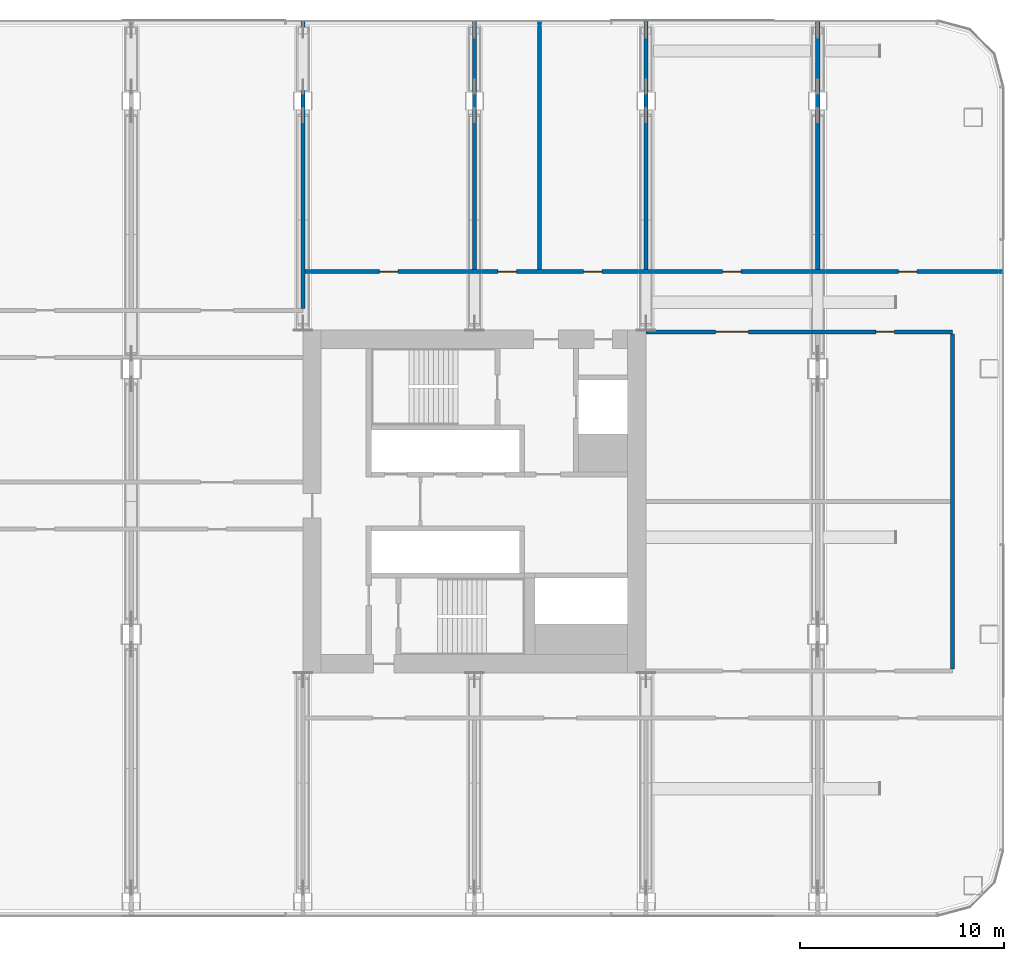
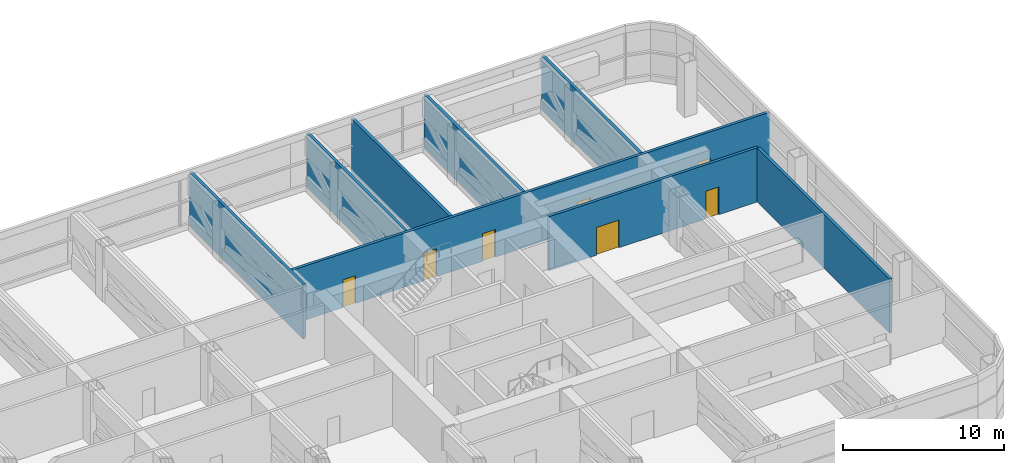
# One storey, part 20 of 30: 8 walls, 7 doors, 7 openings.
"""IFC4 building model written with IfcOpenShell, lengths in metres."""

from ifc_helpers import new_model, si_unit, direction, frame, frame_2d, origin, place, context, subcontext, project, spatial, rectangle, extrude, material, layer, layer_set, type_object, element, fill, save


model = new_model("IFC4")

# Units and contexts
model_context = context("Model", 3, precision=1e-05, world=origin(), true_north=direction((0.0, 1.0)))
body_context = subcontext(model_context, "Body", "Model", "MODEL_VIEW")
ifc_project = project(units=[si_unit("LENGTHUNIT", "METRE"), si_unit("AREAUNIT", "SQUARE_METRE"), si_unit("VOLUMEUNIT", "CUBIC_METRE"), si_unit("PLANEANGLEUNIT", "RADIAN"), si_unit("MASSUNIT", "GRAM", prefix="KILO")], contexts=[model_context])

# Site, building, storey
site_placement = place(None, origin())
site = spatial("IfcSite", under=ifc_project, at=site_placement, CompositionType="ELEMENT")
building_placement = place(site_placement, origin())
building = spatial("IfcBuilding", under=site, at=building_placement, Name="Hakoniwa Tower and Hamabe Station Hall", CompositionType="ELEMENT")
storey_placement = place(building_placement, frame((0.0, 0.0, 64.60009765625)))
storey = spatial("IfcBuildingStorey", under=building, at=storey_placement, Name="L18", CompositionType="ELEMENT", Elevation=64.60009765625)

# Wall, openings, doors
ifc_material_1 = material(Name="Fire-rated gypsum board partition", Category="gypsum")
ifc_layer_1 = layer(ifc_material_1, 0.199951171875)
ifc_layer_set_1 = layer_set([ifc_layer_1], Name="Corridor Wall 200")
wall_type_1 = type_object("IfcWallType", Name="Corridor Wall 200", PredefinedType="PARTITIONING", material=ifc_layer_set_1)
wall_1_placement = place(storey_placement, frame((33.60009765625, 8.300048828125, 0.0), z_axis=(0.0, 0.0, 1.0), x_axis=(1.0, 0.0, 0.0)))
wall_1 = element("IfcWall", 1, at=wall_1_placement, inside=storey, type_object=wall_type_1, Name="GW-L18-011", PredefinedType="PARTITIONING", context=body_context, shape_type="SweptSolid", body=[
    extrude(rectangle(XDim=15.0, YDim=0.199951171875, at=frame_2d((7.5, 0.0))), origin(), (0.0, 0.0, 1.0), 4.099853515625),
])
opening_1_placement = place(wall_1_placement, frame((3.39990234375, 0.0, 0.0)))
opening_1 = element("IfcOpeningElement", 2, at=opening_1_placement, cuts=wall_1, Name="Opening GD-SL18-23", PredefinedType="OPENING", context=body_context, shape_type="SweptSolid", body=[
    extrude(rectangle(XDim=1.60009765625, YDim=2.10009765625, at=frame_2d((0.800048828125, 1.050048828125))), frame((0.0, 0.10986328125, 0.0), z_axis=(0.0, -1.0, 0.0), x_axis=(1.0, 0.0, 0.0)), (0.0, 0.0, 1.0), 0.219970703125),
])
opening_2_placement = place(wall_1_placement, frame((11.25, 0.0, 0.0)))
opening_2 = element("IfcOpeningElement", 3, at=opening_2_placement, cuts=wall_1, Name="Opening GD-SL18-24", PredefinedType="OPENING", context=body_context, shape_type="SweptSolid", body=[
    extrude(rectangle(XDim=0.89990234375, YDim=2.10009765625, at=frame_2d((0.449951171875, 1.050048828125))), frame((0.0, 0.10986328125, 0.0), z_axis=(0.0, -1.0, 0.0), x_axis=(1.0, 0.0, 0.0)), (0.0, 0.0, 1.0), 0.219970703125),
])
ifc_material_2 = material(Name="Timber door leaf", Category="wood")
door_type_1 = type_object("IfcDoorType", Name="Double Door 1600", OperationType="DOUBLE_DOOR_SINGLE_SWING", PredefinedType="DOOR", material=ifc_material_2)
door_1_placement = place(opening_1_placement, origin())
door_1 = element("IfcDoor", 4, at=door_1_placement, inside=storey, type_object=door_type_1, Name="Door GD-SL18-23", OperationType="DOUBLE_DOOR_SINGLE_SWING", OverallHeight=2.10009765625, OverallWidth=1.60009765625, PredefinedType="DOOR", context=body_context, shape_type="SweptSolid", body=[
    extrude(rectangle(XDim=1.60009765625, YDim=2.10009765625, at=frame_2d((0.800048828125, 1.050048828125))), frame((0.0, 0.02490234375, 0.0), z_axis=(0.0, -1.0, 0.0), x_axis=(1.0, 0.0, 0.0)), (0.0, 0.0, 1.0), 0.050048828125),
])
fill(opening_1, door_1)
ifc_material_3 = material(Name="Timber door leaf", Category="wood")
door_type_2 = type_object("IfcDoorType", Name="Service Door 900", OperationType="SINGLE_SWING_LEFT", PredefinedType="DOOR", material=ifc_material_3)
door_2_placement = place(opening_2_placement, origin())
door_2 = element("IfcDoor", 5, at=door_2_placement, inside=storey, type_object=door_type_2, Name="Door GD-SL18-24", OperationType="SINGLE_SWING_RIGHT", OverallHeight=2.10009765625, OverallWidth=0.89990234375, PredefinedType="DOOR", context=body_context, shape_type="SweptSolid", body=[
    extrude(rectangle(XDim=0.89990234375, YDim=2.10009765625, at=frame_2d((0.449951171875, 1.050048828125))), frame((0.0, 0.02490234375, 0.0), z_axis=(0.0, -1.0, 0.0), x_axis=(1.0, 0.0, 0.0)), (0.0, 0.0, 1.0), 0.050048828125),
])
fill(opening_2, door_2)

wall_2_placement = place(storey_placement, frame((16.800048828125, 11.25, 0.0), z_axis=(0.0, 0.0, 1.0), x_axis=(1.0, 0.0, 0.0)))
wall_2 = element("IfcWall", 6, at=wall_2_placement, inside=storey, type_object=wall_type_1, Name="GW-L18-014", PredefinedType="PARTITIONING", context=body_context, shape_type="SweptSolid", body=[
    extrude(rectangle(XDim=34.300048828125, YDim=0.199951171875, at=frame_2d((17.14990234375, 0.0))), origin(), (0.0, 0.0, 1.0), 4.099853515625),
])
opening_3_placement = place(wall_2_placement, frame((3.75, 0.0, 0.0)))
opening_3 = element("IfcOpeningElement", 7, at=opening_3_placement, cuts=wall_2, Name="Opening GD-SL18-33", PredefinedType="OPENING", context=body_context, shape_type="SweptSolid", body=[
    extrude(rectangle(XDim=0.89990234375, YDim=2.10009765625, at=frame_2d((0.449951171875, 1.050048828125))), frame((0.0, 0.10986328125, 0.0), z_axis=(0.0, -1.0, 0.0), x_axis=(1.0, 0.0, 0.0)), (0.0, 0.0, 1.0), 0.219970703125),
])
opening_4_placement = place(wall_2_placement, frame((9.544921875, 0.0, 0.0)))
opening_4 = element("IfcOpeningElement", 8, at=opening_4_placement, cuts=wall_2, Name="Opening GD-SL18-34", PredefinedType="OPENING", context=body_context, shape_type="SweptSolid", body=[
    extrude(rectangle(XDim=0.89990234375, YDim=2.10009765625, at=frame_2d((0.449951171875, 1.050048828125))), frame((0.0, 0.10986328125, 0.0), z_axis=(0.0, -1.0, 0.0), x_axis=(1.0, 0.0, 0.0)), (0.0, 0.0, 1.0), 0.219970703125),
])
opening_5_placement = place(wall_2_placement, frame((13.7451171875, 0.0, 0.0)))
opening_5 = element("IfcOpeningElement", 9, at=opening_5_placement, cuts=wall_2, Name="Opening GD-SL18-35", PredefinedType="OPENING", context=body_context, shape_type="SweptSolid", body=[
    extrude(rectangle(XDim=0.89990234375, YDim=2.10009765625, at=frame_2d((0.449951171875, 1.050048828125))), frame((0.0, 0.10986328125, 0.0), z_axis=(0.0, -1.0, 0.0), x_axis=(1.0, 0.0, 0.0)), (0.0, 0.0, 1.0), 0.219970703125),
])
opening_6_placement = place(wall_2_placement, frame((20.550048828125, 0.0, 0.0)))
opening_6 = element("IfcOpeningElement", 10, at=opening_6_placement, cuts=wall_2, Name="Opening GD-SL18-36", PredefinedType="OPENING", context=body_context, shape_type="SweptSolid", body=[
    extrude(rectangle(XDim=0.89990234375, YDim=2.10009765625, at=frame_2d((0.449951171875, 1.050048828125))), frame((0.0, 0.10986328125, 0.0), z_axis=(0.0, -1.0, 0.0), x_axis=(1.0, 0.0, 0.0)), (0.0, 0.0, 1.0), 0.219970703125),
])
opening_7_placement = place(wall_2_placement, frame((29.14990234375, 0.0, 0.0)))
opening_7 = element("IfcOpeningElement", 11, at=opening_7_placement, cuts=wall_2, Name="Opening GD-SL18-37", PredefinedType="OPENING", context=body_context, shape_type="SweptSolid", body=[
    extrude(rectangle(XDim=0.89990234375, YDim=2.10009765625, at=frame_2d((0.449951171875, 1.050048828125))), frame((0.0, 0.10986328125, 0.0), z_axis=(0.0, -1.0, 0.0), x_axis=(1.0, 0.0, 0.0)), (0.0, 0.0, 1.0), 0.219970703125),
])
door_3_placement = place(opening_3_placement, origin())
door_3 = element("IfcDoor", 12, at=door_3_placement, inside=storey, type_object=door_type_2, Name="Door GD-SL18-33", OperationType="SINGLE_SWING_LEFT", OverallHeight=2.10009765625, OverallWidth=0.89990234375, PredefinedType="DOOR", context=body_context, shape_type="SweptSolid", body=[
    extrude(rectangle(XDim=0.89990234375, YDim=2.10009765625, at=frame_2d((0.449951171875, 1.050048828125))), frame((0.0, 0.02490234375, 0.0), z_axis=(0.0, -1.0, 0.0), x_axis=(1.0, 0.0, 0.0)), (0.0, 0.0, 1.0), 0.050048828125),
])
fill(opening_3, door_3)
door_4_placement = place(opening_4_placement, origin())
door_4 = element("IfcDoor", 13, at=door_4_placement, inside=storey, type_object=door_type_2, Name="Door GD-SL18-34", OperationType="SINGLE_SWING_RIGHT", OverallHeight=2.10009765625, OverallWidth=0.89990234375, PredefinedType="DOOR", context=body_context, shape_type="SweptSolid", body=[
    extrude(rectangle(XDim=0.89990234375, YDim=2.10009765625, at=frame_2d((0.449951171875, 1.050048828125))), frame((0.0, 0.02490234375, 0.0), z_axis=(0.0, -1.0, 0.0), x_axis=(1.0, 0.0, 0.0)), (0.0, 0.0, 1.0), 0.050048828125),
])
fill(opening_4, door_4)
door_5_placement = place(opening_5_placement, origin())
door_5 = element("IfcDoor", 14, at=door_5_placement, inside=storey, type_object=door_type_2, Name="Door GD-SL18-35", OperationType="SINGLE_SWING_LEFT", OverallHeight=2.10009765625, OverallWidth=0.89990234375, PredefinedType="DOOR", context=body_context, shape_type="SweptSolid", body=[
    extrude(rectangle(XDim=0.89990234375, YDim=2.10009765625, at=frame_2d((0.449951171875, 1.050048828125))), frame((0.0, 0.02490234375, 0.0), z_axis=(0.0, -1.0, 0.0), x_axis=(1.0, 0.0, 0.0)), (0.0, 0.0, 1.0), 0.050048828125),
])
fill(opening_5, door_5)
door_6_placement = place(opening_6_placement, origin())
door_6 = element("IfcDoor", 15, at=door_6_placement, inside=storey, type_object=door_type_2, Name="Door GD-SL18-36", OperationType="SINGLE_SWING_RIGHT", OverallHeight=2.10009765625, OverallWidth=0.89990234375, PredefinedType="DOOR", context=body_context, shape_type="SweptSolid", body=[
    extrude(rectangle(XDim=0.89990234375, YDim=2.10009765625, at=frame_2d((0.449951171875, 1.050048828125))), frame((0.0, 0.02490234375, 0.0), z_axis=(0.0, -1.0, 0.0), x_axis=(1.0, 0.0, 0.0)), (0.0, 0.0, 1.0), 0.050048828125),
])
fill(opening_6, door_6)
door_7_placement = place(opening_7_placement, origin())
door_7 = element("IfcDoor", 16, at=door_7_placement, inside=storey, type_object=door_type_2, Name="Door GD-SL18-37", OperationType="SINGLE_SWING_LEFT", OverallHeight=2.10009765625, OverallWidth=0.89990234375, PredefinedType="DOOR", context=body_context, shape_type="SweptSolid", body=[
    extrude(rectangle(XDim=0.89990234375, YDim=2.10009765625, at=frame_2d((0.449951171875, 1.050048828125))), frame((0.0, 0.02490234375, 0.0), z_axis=(0.0, -1.0, 0.0), x_axis=(1.0, 0.0, 0.0)), (0.0, 0.0, 1.0), 0.050048828125),
])
fill(opening_7, door_7)

# Walls
ifc_material_4 = material(Name="Fire-rated gypsum board partition", Category="gypsum")
ifc_layer_2 = layer(ifc_material_4, 0.199951171875)
ifc_layer_set_2 = layer_set([ifc_layer_2], Name="Party Wall 200")
wall_type_2 = type_object("IfcWallType", Name="Party Wall 200", PredefinedType="PARTITIONING", material=ifc_layer_set_2)
wall_3_placement = place(storey_placement, frame((16.800048828125, 9.449951171875, 0.0), z_axis=(0.0, 0.0, 1.0), x_axis=(0.0, 1.0, 0.0)))
element("IfcWall", 17, at=wall_3_placement, inside=storey, type_object=wall_type_2, Name="GW-L18-035", PredefinedType="PARTITIONING", context=body_context, shape_type="SweptSolid", body=[
    extrude(rectangle(XDim=14.10009765625, YDim=0.199951171875, at=frame_2d((7.050048828125, 0.0))), origin(), (0.0, 0.0, 1.0), 4.099853515625),
])
for number, where, z_axis, x_axis, name in (
    (18, (25.199951171875, 11.35009765625, 0.0), (0.0, 0.0, 1.0), (0.0, 1.0, 0.0), "GW-L18-037"),
    (19, (28.389892578125, 11.35009765625, 0.0), (0.0, 0.0, 1.0), (0.0, 1.0, 0.0), "GW-L18-038"),
    (20, (33.60009765625, 11.35009765625, 0.0), (0.0, 0.0, 1.0), (0.0, 1.0, 0.0), "GW-L18-040"),
    (21, (42.0, 11.35009765625, 0.0), (0.0, 0.0, 1.0), (0.0, 1.0, 0.0), "GW-L18-043"),
):
    element("IfcWall", number, at=place(storey_placement, frame(where, z_axis=z_axis, x_axis=x_axis)), inside=storey, type_object=wall_type_2, Name=name, PredefinedType="PARTITIONING", context=body_context, shape_type="SweptSolid", body=[
        extrude(rectangle(XDim=12.199951171875, YDim=0.199951171875, at=frame_2d((6.10009765625, 0.0))), origin(), (0.0, 0.0, 1.0), 4.099853515625),
    ])
wall_4_placement = place(storey_placement, frame((48.60009765625, -8.199951171875, 0.0), z_axis=(0.0, 0.0, 1.0), x_axis=(0.0, 1.0, 0.0)))
element("IfcWall", 22, at=wall_4_placement, inside=storey, type_object=wall_type_2, Name="GW-L18-044", PredefinedType="PARTITIONING", context=body_context, shape_type="SweptSolid", body=[
    extrude(rectangle(XDim=16.39990234375, YDim=0.199951171875, at=frame_2d((8.199951171875, 0.0))), origin(), (0.0, 0.0, 1.0), 4.099853515625),
])

save(model, "model.ifc")
